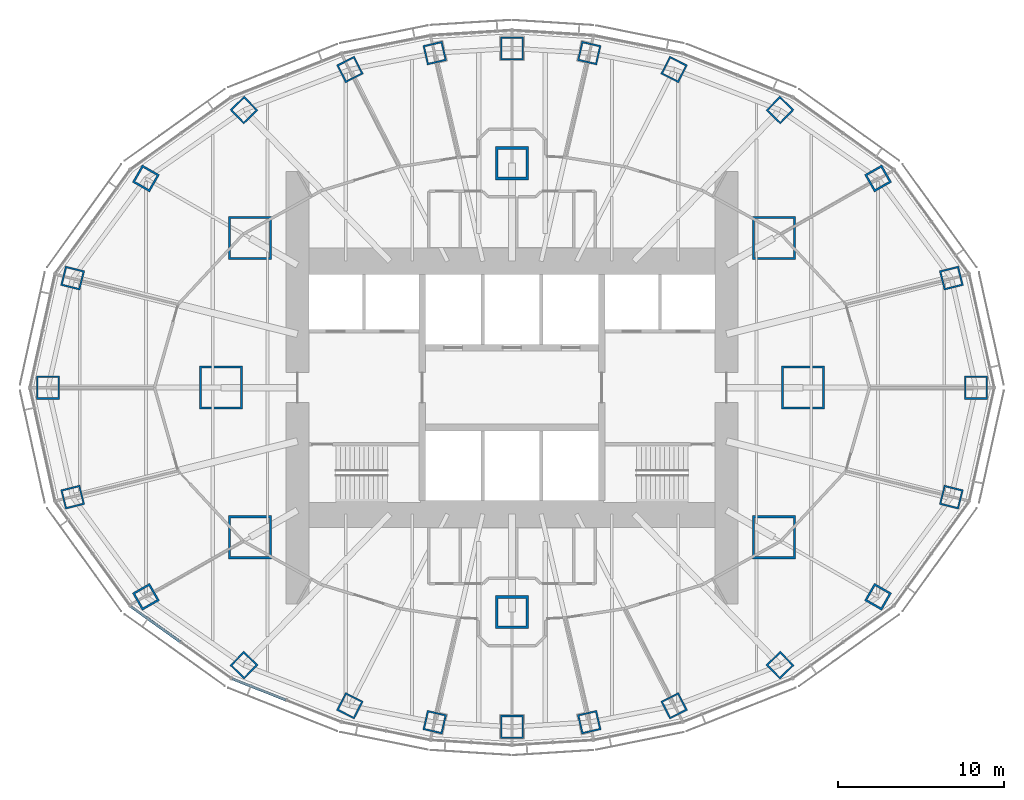
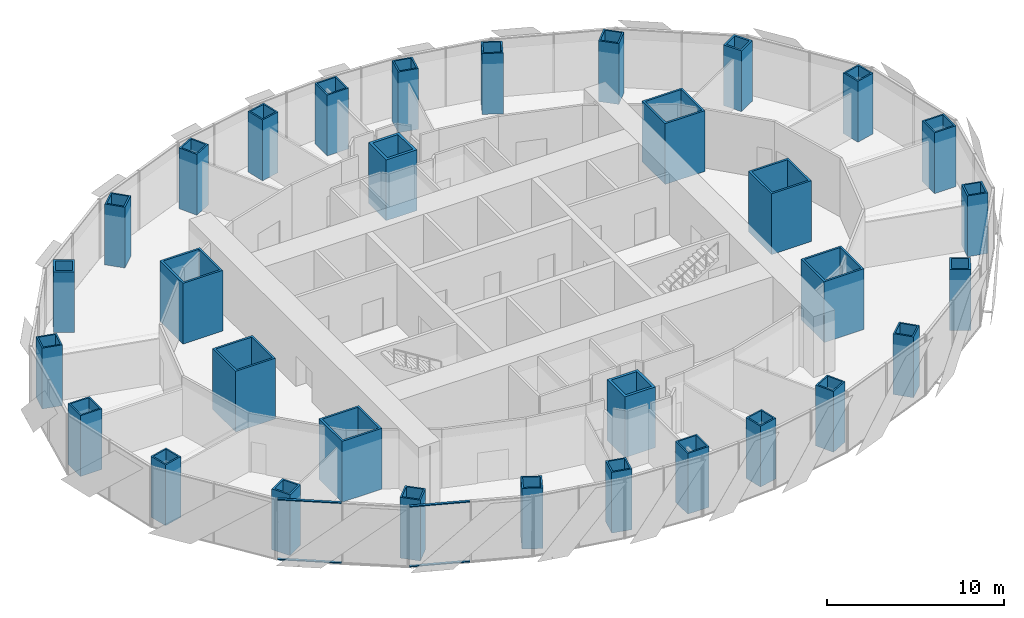
# One storey, part 1 of 17: 32 columns, 4 members, 2 elements without a shape of their own.
"""IFC4 building model written with IfcOpenShell, lengths in metres."""

from ifc_helpers import new_model, si_unit, direction, frame, origin, origin_2d, place, context, subcontext, project, spatial, rectangle, hollow_rectangle, extrude, material, material_profile, profile_set, type_object, element, aggregate, save


model = new_model("IFC4")

# Units and contexts
model_context = context("Model", 3, precision=1e-05, world=origin(), true_north=direction((0.0, 1.0)))
body_context = subcontext(model_context, "Body", "Model", "MODEL_VIEW")
ifc_project = project(units=[si_unit("LENGTHUNIT", "METRE"), si_unit("AREAUNIT", "SQUARE_METRE"), si_unit("VOLUMEUNIT", "CUBIC_METRE"), si_unit("PLANEANGLEUNIT", "RADIAN"), si_unit("MASSUNIT", "GRAM", prefix="KILO")], contexts=[model_context])

# Site, building, storey
site_placement = place(None, origin())
site = spatial("IfcSite", under=ifc_project, at=site_placement, CompositionType="ELEMENT")
building_placement = place(site_placement, origin())
building = spatial("IfcBuilding", under=site, at=building_placement, Name="Lantaw Convention Tower", CompositionType="ELEMENT")
storey_placement = place(building_placement, frame((0.0, 0.0, 163.60009765625)))
storey = spatial("IfcBuildingStorey", under=building, at=storey_placement, Name="L38", CompositionType="ELEMENT", Elevation=163.60009765625)

# Columns
ifc_material_1 = material(Name="Steel EN 10025-3 S460N", Category="steel")
ifc_material_profile_1 = material_profile(ifc_material_1, hollow_rectangle(XDim=2.0, YDim=2.0, WallThickness=0.169921875, at=origin_2d()), Name="BOX2000X170")
ifc_material_2 = material(Name="Concrete C60/75", Category="concrete")
ifc_material_profile_2 = material_profile(ifc_material_2, rectangle(XDim=1.659912109375, YDim=1.659912109375, at=origin_2d()), Name="Concrete fill of BOX2000X170")
ifc_profile_set_1 = profile_set([ifc_material_profile_1, ifc_material_profile_2], Name="Steel EN 10025-3 S460N")
column_type_1 = type_object("IfcColumnType", Name="Column MC BOX2000X170", PredefinedType="COLUMN", material=ifc_profile_set_1)
for number, where, z_axis, x_axis, name in (
    (1, (0.0, 13.5, 0.0), (0.0, 0.0, 1.0), (1.0, 0.0, 0.0), "Mega column M3"),
    (2, (0.0, -13.5, 0.0), (0.0, 0.0, 1.0), (1.0, 0.0, 0.0), "Mega column M7"),
):
    element("IfcColumn", number, at=place(storey_placement, frame(where, z_axis=z_axis, x_axis=x_axis)), inside=storey, type_object=column_type_1, Name=name, PredefinedType="COLUMN", context=body_context, shape_type="SweptSolid", body=[
        extrude(hollow_rectangle(XDim=2.0, YDim=2.0, WallThickness=0.169921875, at=origin_2d()), origin(), (0.0, 0.0, 1.0), 4.199951171875),
    ])
ifc_material_profile_3 = material_profile(ifc_material_1, hollow_rectangle(XDim=2.60009765625, YDim=2.60009765625, WallThickness=0.1298828125, at=origin_2d()), Name="BOX2600X130")
ifc_material_profile_4 = material_profile(ifc_material_2, rectangle(XDim=2.340087890625, YDim=2.340087890625, at=origin_2d()), Name="Concrete fill of BOX2600X130")
ifc_profile_set_2 = profile_set([ifc_material_profile_3, ifc_material_profile_4], Name="Steel EN 10025-3 S460N")
column_type_2 = type_object("IfcColumnType", Name="Column MC BOX2600X130", PredefinedType="COLUMN", material=ifc_profile_set_2)
for number, where, z_axis, x_axis, name in (
    (3, (17.5, 0.0, 0.0), (0.0, 0.0, 1.0), (1.0, 0.0, 0.0), "Mega column M1"),
    (4, (15.75, 9.0, 0.0), (0.0, 0.0, 1.0), (1.0, 0.0, 0.0), "Mega column M2"),
    (5, (-15.75, 9.0, 0.0), (0.0, 0.0, 1.0), (1.0, 0.0, 0.0), "Mega column M4"),
    (6, (-17.5, 0.0, 0.0), (0.0, 0.0, 1.0), (1.0, 0.0, 0.0), "Mega column M5"),
    (7, (-15.75, -9.0, 0.0), (0.0, 0.0, 1.0), (1.0, 0.0, 0.0), "Mega column M6"),
    (8, (15.75, -9.0, 0.0), (0.0, 0.0, 1.0), (1.0, 0.0, 0.0), "Mega column M8"),
):
    element("IfcColumn", number, at=place(storey_placement, frame(where, z_axis=z_axis, x_axis=x_axis)), inside=storey, type_object=column_type_2, Name=name, PredefinedType="COLUMN", context=body_context, shape_type="SweptSolid", body=[
        extrude(hollow_rectangle(XDim=2.60009765625, YDim=2.60009765625, WallThickness=0.1298828125, at=origin_2d()), origin(), (0.0, 0.0, 1.0), 4.199951171875),
    ])
ifc_material_profile_5 = material_profile(ifc_material_1, hollow_rectangle(XDim=1.199951171875, YDim=1.199951171875, WallThickness=0.10009765625, at=origin_2d()), Name="BOX1200X100")
ifc_material_profile_6 = material_profile(ifc_material_2, rectangle(XDim=1.0, YDim=1.0, at=origin_2d()), Name="Concrete fill of BOX1200X100")
ifc_profile_set_3 = profile_set([ifc_material_profile_5, ifc_material_profile_6], Name="Steel EN 10025-3 S460N")
column_type_3 = type_object("IfcColumnType", Name="Column PC BOX1200X100", PredefinedType="COLUMN", material=ifc_profile_set_3)
for number, where, z_axis, x_axis, name in (
    (9, (26.419921875, 6.587158203125, 0.0), (0.0, 0.0, 1.0), (0.970295726276, 0.2419218956, 0.0), "Perimeter column P2"),
    (10, (16.11767578125, 16.690185546875, 0.0), (0.0, 0.0, 1.0), (0.694658370459, 0.719339800339, 0.0), "Perimeter column P4"),
    (11, (9.74853515625, 19.1328125, 0.0), (0.0, 0.0, 1.0), (0.45399049974, 0.891006524188, 0.0), "Perimeter column P5"),
    (12, (4.64501953125, 20.1201171875, 0.0), (0.0, 0.0, 1.0), (0.224951054344, 0.974370064785, 0.0), "Perimeter column P6"),
    (13, (-4.64501953125, 20.1201171875, 0.0), (0.0, 0.0, 1.0), (0.974370064785, 0.224951054344, 0.0), "Perimeter column P8"),
    (14, (-9.74853515625, 19.1328125, 0.0), (0.0, 0.0, 1.0), (0.891006524188, 0.45399049974, 0.0), "Perimeter column P9"),
    (15, (-16.11767578125, 16.690185546875, 0.0), (0.0, 0.0, 1.0), (0.719339800339, 0.694658370459, 0.0), "Perimeter column P10"),
    (16, (-26.419921875, 6.587158203125, 0.0), (0.0, 0.0, 1.0), (0.2419218956, 0.970295726276, 0.0), "Perimeter column P12"),
    (17, (-26.419921875, -6.587158203125, 0.0), (0.0, 0.0, 1.0), (0.970295726276, 0.2419218956, 0.0), "Perimeter column P14"),
    (18, (-16.11767578125, -16.690185546875, 0.0), (0.0, 0.0, 1.0), (0.694658370459, 0.719339800339, 0.0), "Perimeter column P16"),
    (19, (-9.74853515625, -19.1328125, 0.0), (0.0, 0.0, 1.0), (0.45399049974, 0.891006524188, 0.0), "Perimeter column P17"),
    (20, (-4.64501953125, -20.1201171875, 0.0), (0.0, 0.0, 1.0), (0.224951054344, 0.974370064785, 0.0), "Perimeter column P18"),
    (21, (4.64501953125, -20.1201171875, 0.0), (0.0, 0.0, 1.0), (0.974370064785, 0.224951054344, 0.0), "Perimeter column P20"),
    (22, (9.74853515625, -19.1328125, 0.0), (0.0, 0.0, 1.0), (0.891006524188, 0.45399049974, 0.0), "Perimeter column P21"),
    (23, (16.11767578125, -16.690185546875, 0.0), (0.0, 0.0, 1.0), (0.719339800339, 0.694658370459, 0.0), "Perimeter column P22"),
    (24, (26.419921875, -6.587158203125, 0.0), (0.0, 0.0, 1.0), (0.2419218956, 0.970295726276, 0.0), "Perimeter column P24"),
):
    element("IfcColumn", number, at=place(storey_placement, frame(where, z_axis=z_axis, x_axis=x_axis)), inside=storey, type_object=column_type_3, Name=name, PredefinedType="COLUMN", context=body_context, shape_type="SweptSolid", body=[
        extrude(hollow_rectangle(XDim=1.199951171875, YDim=1.199951171875, WallThickness=0.10009765625, at=origin_2d()), origin(), (0.0, 0.0, 1.0), 4.199951171875),
    ])
ifc_material_profile_7 = material_profile(ifc_material_1, hollow_rectangle(XDim=1.199951171875, YDim=1.199951171875, WallThickness=0.1201171875, at=origin_2d()), Name="BOX1200X120")
ifc_material_profile_8 = material_profile(ifc_material_2, rectangle(XDim=0.9599609375, YDim=0.9599609375, at=origin_2d()), Name="Concrete fill of BOX1200X120")
ifc_profile_set_4 = profile_set([ifc_material_profile_7, ifc_material_profile_8], Name="Steel EN 10025-3 S460N")
column_type_4 = type_object("IfcColumnType", Name="Column PC BOX1200X120", PredefinedType="COLUMN", material=ifc_profile_set_4)
for number, where, z_axis, x_axis, name in (
    (25, (22.013916015625, 12.579345703125, 0.0), (0.0, 0.0, 1.0), (0.86824298017, 0.496139221777, 0.0), "Perimeter column P3"),
    (26, (-22.013916015625, 12.579345703125, 0.0), (0.0, 0.0, 1.0), (0.496139221777, 0.86824298017, 0.0), "Perimeter column P11"),
    (27, (-22.013916015625, -12.579345703125, 0.0), (0.0, 0.0, 1.0), (0.86824298017, 0.496139221777, 0.0), "Perimeter column P15"),
    (28, (22.013916015625, -12.579345703125, 0.0), (0.0, 0.0, 1.0), (0.496139221777, 0.86824298017, 0.0), "Perimeter column P23"),
):
    element("IfcColumn", number, at=place(storey_placement, frame(where, z_axis=z_axis, x_axis=x_axis)), inside=storey, type_object=column_type_4, Name=name, PredefinedType="COLUMN", context=body_context, shape_type="SweptSolid", body=[
        extrude(hollow_rectangle(XDim=1.199951171875, YDim=1.199951171875, WallThickness=0.1201171875, at=origin_2d()), origin(), (0.0, 0.0, 1.0), 4.199951171875),
    ])
ifc_material_profile_9 = material_profile(ifc_material_1, hollow_rectangle(XDim=1.39990234375, YDim=1.39990234375, WallThickness=0.10009765625, at=origin_2d()), Name="BOX1400X100")
ifc_material_profile_10 = material_profile(ifc_material_2, rectangle(XDim=1.199951171875, YDim=1.199951171875, at=origin_2d()), Name="Concrete fill of BOX1400X100")
ifc_profile_set_5 = profile_set([ifc_material_profile_9, ifc_material_profile_10], Name="Steel EN 10025-3 S460N")
column_type_5 = type_object("IfcColumnType", Name="Column PC BOX1400X100", PredefinedType="COLUMN", material=ifc_profile_set_5)
for number, where, z_axis, x_axis, name in (
    (29, (27.89990234375, 0.0, 0.0), (0.0, 0.0, 1.0), (1.0, 0.0, 0.0), "Perimeter column P1"),
    (30, (0.0, 20.39990234375, 0.0), (0.0, 0.0, 1.0), (1.0, 0.0, 0.0), "Perimeter column P7"),
    (31, (-27.89990234375, 0.0, 0.0), (0.0, 0.0, 1.0), (1.0, 0.0, 0.0), "Perimeter column P13"),
    (32, (0.0, -20.39990234375, 0.0), (0.0, 0.0, 1.0), (1.0, 0.0, 0.0), "Perimeter column P19"),
):
    element("IfcColumn", number, at=place(storey_placement, frame(where, z_axis=z_axis, x_axis=x_axis)), inside=storey, type_object=column_type_5, Name=name, PredefinedType="COLUMN", context=body_context, shape_type="SweptSolid", body=[
        extrude(hollow_rectangle(XDim=1.39990234375, YDim=1.39990234375, WallThickness=0.10009765625, at=origin_2d()), origin(), (0.0, 0.0, 1.0), 4.199951171875),
    ])

# Curtain wall, members
ifc_material_3 = material(Name="Aluminium framed curtain wall", Category="aluminium")
curtain_wall_type = type_object("IfcCurtainWallType", Name="Office curtain wall low rise, pale aluminium", PredefinedType="USERDEFINED", material=ifc_material_3)
curtain_wall_1_placement = place(storey_placement, origin())
curtain_wall_1 = element("IfcCurtainWall", 33, at=curtain_wall_1_placement, inside=storey, type_object=curtain_wall_type, Name="Office curtain wall low rise, pale aluminium L38", ObjectType="UNITISED CURTAIN WALL", PredefinedType="USERDEFINED")
ifc_material_4 = material(Name="Aluminium 6063-T6", Category="aluminium")
ifc_material_profile_11 = material_profile(ifc_material_4, rectangle(XDim=0.159912109375, YDim=0.06494140625, at=origin_2d()), Name="CW-O1 transom 65x160")
ifc_profile_set_6 = profile_set([ifc_material_profile_11], Name="Aluminium 6063-T6")
member_type = type_object("IfcMemberType", Name="CW-O1 transom 65x160", PredefinedType="USERDEFINED", material=ifc_profile_set_6)
member_1_placement = place(storey_placement, frame((-22.916259765625, -13.1630859375, -0.11767578125), z_axis=(0.813221785972, -0.581953887194, 0.0), x_axis=(0.581953887194, 0.813221785972, 0.0)))
member_1 = element("IfcMember", 34, at=member_1_placement, type_object=member_type, Name="CW-O1 transom 1.1", ObjectType="TRANSOM", PredefinedType="USERDEFINED", context=body_context, shape_type="SweptSolid", body=[
    extrude(rectangle(XDim=0.159912109375, YDim=0.06494140625, at=origin_2d()), origin(), (0.0, 0.0, 1.0), 3.645263671875),
])
member_2_placement = place(storey_placement, frame((-22.916259765625, -13.1630859375, 4.017333984375), z_axis=(0.813221785972, -0.581953887194, 0.0), x_axis=(0.581953887194, 0.813221785972, 0.0)))
member_2 = element("IfcMember", 35, at=member_2_placement, type_object=member_type, Name="CW-O1 transom 1.2", ObjectType="TRANSOM", PredefinedType="USERDEFINED", context=body_context, shape_type="SweptSolid", body=[
    extrude(rectangle(XDim=0.159912109375, YDim=0.06494140625, at=origin_2d()), origin(), (0.0, 0.0, 1.0), 3.645263671875),
])
aggregate(curtain_wall_1, [member_1, member_2])

curtain_wall_2_placement = place(storey_placement, origin())
curtain_wall_2 = element("IfcCurtainWall", 36, at=curtain_wall_2_placement, inside=storey, type_object=curtain_wall_type, Name="Office curtain wall low rise, pale aluminium L38", ObjectType="UNITISED CURTAIN WALL", PredefinedType="USERDEFINED")
member_3_placement = place(storey_placement, frame((-16.8212890625, -17.505615234375, -0.11767578125), z_axis=(0.929564188507, -0.368660303592, 0.0), x_axis=(0.368660303592, 0.929564188507, 0.0)))
member_3 = element("IfcMember", 37, at=member_3_placement, type_object=member_type, Name="CW-O1 transom 1.1", ObjectType="TRANSOM", PredefinedType="USERDEFINED", context=body_context, shape_type="SweptSolid", body=[
    extrude(rectangle(XDim=0.159912109375, YDim=0.06494140625, at=origin_2d()), origin(), (0.0, 0.0, 1.0), 3.470703125),
])
member_4_placement = place(storey_placement, frame((-16.8212890625, -17.505615234375, 4.017333984375), z_axis=(0.929564188507, -0.368660303592, 0.0), x_axis=(0.368660303592, 0.929564188507, 0.0)))
member_4 = element("IfcMember", 38, at=member_4_placement, type_object=member_type, Name="CW-O1 transom 1.2", ObjectType="TRANSOM", PredefinedType="USERDEFINED", context=body_context, shape_type="SweptSolid", body=[
    extrude(rectangle(XDim=0.159912109375, YDim=0.06494140625, at=origin_2d()), origin(), (0.0, 0.0, 1.0), 3.470703125),
])
aggregate(curtain_wall_2, [member_3, member_4])

save(model, "model.ifc")
